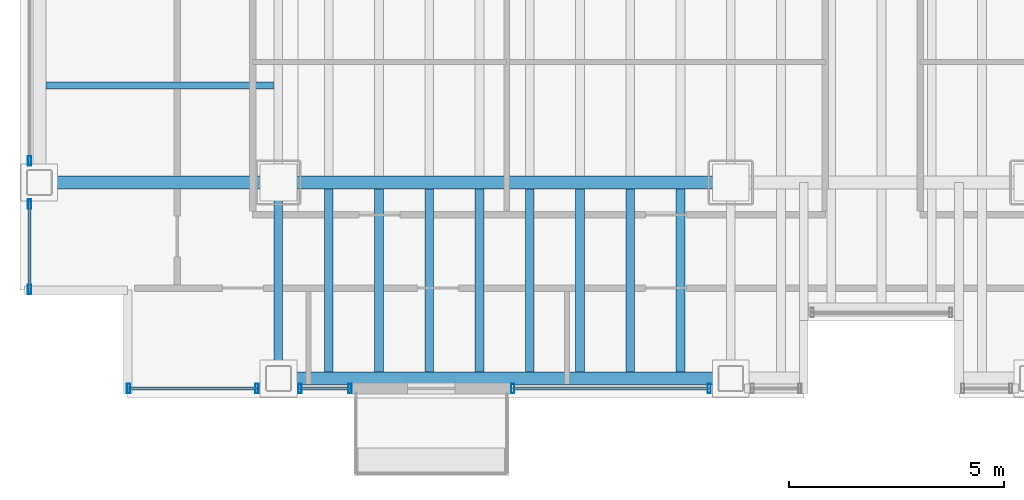
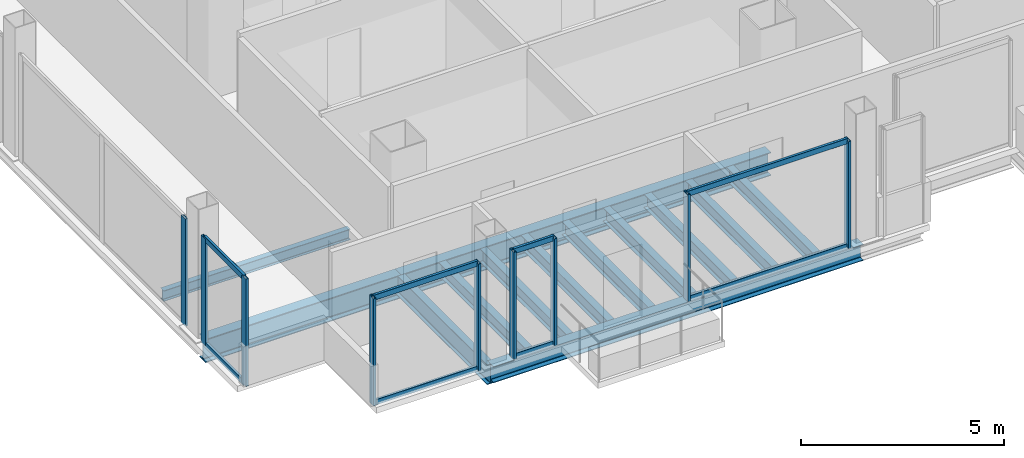
# One storey, part 2 of 20: 17 members, 13 beams, 5 elements without a shape of their own.
"""IFC4 building model written with IfcOpenShell, lengths in metres."""

from ifc_helpers import new_model, si_unit, direction, frame, origin, origin_2d, place, context, subcontext, project, spatial, hollow_rectangle, i_section, extrude, material, material_profile, profile_set, type_object, element, aggregate, save


model = new_model("IFC4")

# Units and contexts
model_context = context("Model", 3, precision=1e-05, world=origin(), true_north=direction((0.0, 1.0)))
body_context = subcontext(model_context, "Body", "Model", "MODEL_VIEW")
ifc_project = project(units=[si_unit("LENGTHUNIT", "METRE"), si_unit("AREAUNIT", "SQUARE_METRE"), si_unit("VOLUMEUNIT", "CUBIC_METRE"), si_unit("PLANEANGLEUNIT", "RADIAN"), si_unit("MASSUNIT", "GRAM", prefix="KILO")], contexts=[model_context])

# Site, building, storey
site_placement = place(None, origin())
site = spatial("IfcSite", under=ifc_project, at=site_placement, CompositionType="ELEMENT")
building_placement = place(site_placement, origin())
building = spatial("IfcBuilding", under=site, at=building_placement, Name="Noeulbin Bourse Tower", CompositionType="ELEMENT")
storey_placement = place(building_placement, frame((0.0, 0.0, 69.39990234375)))
storey = spatial("IfcBuildingStorey", under=building, at=storey_placement, Name="L17", CompositionType="ELEMENT", Elevation=69.39990234375)

# Beams
ifc_material_1 = material(Name="Steel S355", Category="steel")
ifc_material_profile_1 = material_profile(ifc_material_1, i_section(OverallWidth=0.199951171875, OverallDepth=0.60009765625, WebThickness=0.010986328125, FlangeThickness=0.01708984375, FilletRadius=0.02197265625, at=origin_2d()), Name="H-600x200x11x17", Category="LoadBearing")
ifc_profile_set_1 = profile_set([ifc_material_profile_1], Name="Steel S355")
beam_type_1 = type_object("IfcBeamType", Name="BM-GRD-600", PredefinedType="USERDEFINED", material=ifc_profile_set_1)
beam_1_placement = place(storey_placement, frame((13.5, 15.449951171875, -0.47998046875), z_axis=(0.0, 1.0, 0.0), x_axis=(-1.0, 0.0, 0.0)))
element("IfcBeam", 1, at=beam_1_placement, inside=storey, type_object=beam_type_1, Name="Tower Primary Girder NS L17-1.1", ObjectType="GIRDER", PredefinedType="USERDEFINED", context=body_context, shape_type="SweptSolid", body=[
    extrude(i_section(OverallWidth=0.199951171875, OverallDepth=0.60009765625, WebThickness=0.010986328125, FlangeThickness=0.01708984375, FilletRadius=0.02197265625, at=origin_2d()), origin(), (0.0, 0.0, 1.0), 4.550048828125),
])
ifc_material_profile_2 = material_profile(ifc_material_1, i_section(OverallWidth=0.300048828125, OverallDepth=0.699951171875, WebThickness=0.012939453125, FlangeThickness=0.02392578125, FilletRadius=0.02392578125, at=origin_2d()), Name="H-700x300x13x24", Category="LoadBearing")
ifc_profile_set_2 = profile_set([ifc_material_profile_2], Name="Steel S355")
beam_type_2 = type_object("IfcBeamType", Name="BM-GRD-700", PredefinedType="USERDEFINED", material=ifc_profile_set_2)
beam_2_placement = place(storey_placement, frame((7.949951171875, 20.0, -0.52978515625), z_axis=(1.0, 0.0, 0.0), x_axis=(0.0, 1.0, 0.0)))
element("IfcBeam", 2, at=beam_2_placement, inside=storey, type_object=beam_type_2, Name="Tower Primary Girder EW L17-1.1", ObjectType="GIRDER", PredefinedType="USERDEFINED", context=body_context, shape_type="SweptSolid", body=[
    extrude(i_section(OverallWidth=0.300048828125, OverallDepth=0.699951171875, WebThickness=0.012939453125, FlangeThickness=0.02392578125, FilletRadius=0.02392578125, at=origin_2d()), origin(), (0.0, 0.0, 1.0), 5.550048828125),
])
beam_3_placement = place(storey_placement, frame((13.5, 20.0, -0.52978515625), z_axis=(1.0, 0.0, 0.0), x_axis=(0.0, 1.0, 0.0)))
element("IfcBeam", 3, at=beam_3_placement, inside=storey, type_object=beam_type_2, Name="Tower Primary Girder EW L17-1.2", ObjectType="GIRDER", PredefinedType="USERDEFINED", context=body_context, shape_type="SweptSolid", body=[
    extrude(i_section(OverallWidth=0.300048828125, OverallDepth=0.699951171875, WebThickness=0.012939453125, FlangeThickness=0.02392578125, FilletRadius=0.02392578125, at=origin_2d()), origin(), (0.0, 0.0, 1.0), 10.5),
])
ifc_material_profile_3 = material_profile(ifc_material_1, i_section(OverallWidth=0.159912109375, OverallDepth=0.320068359375, WebThickness=0.006591796875, FlangeThickness=0.010009765625, FilletRadius=0.012939453125, at=origin_2d()), Name="H-320x160x6.5x10", Category="LoadBearing")
ifc_profile_set_3 = profile_set([ifc_material_profile_3], Name="Steel S355")
beam_type_3 = type_object("IfcBeamType", Name="BM-JST-320", PredefinedType="JOIST", material=ifc_profile_set_3)
beam_4_placement = place(storey_placement, frame((8.10009765625, 22.25, -0.33984375), z_axis=(1.0, 0.0, 0.0), x_axis=(0.0, 1.0, 0.0)))
element("IfcBeam", 4, at=beam_4_placement, inside=storey, type_object=beam_type_3, Name="Wing Composite Joist L17-W70", PredefinedType="JOIST", context=body_context, shape_type="SweptSolid", body=[
    extrude(i_section(OverallWidth=0.159912109375, OverallDepth=0.320068359375, WebThickness=0.006591796875, FlangeThickness=0.010009765625, FilletRadius=0.012939453125, at=origin_2d()), origin(), (0.0, 0.0, 1.0), 5.2998046875),
])
ifc_material_profile_4 = material_profile(ifc_material_1, i_section(OverallWidth=0.199951171875, OverallDepth=0.39990234375, WebThickness=0.008056640625, FlangeThickness=0.012939453125, FilletRadius=0.01611328125, at=origin_2d()), Name="H-400x200x8x13", Category="LoadBearing")
ifc_profile_set_4 = profile_set([ifc_material_profile_4], Name="Steel S355")
beam_type_4 = type_object("IfcBeamType", Name="BM-SEC-400", PredefinedType="BEAM", material=ifc_profile_set_4)
for number, where, z_axis, x_axis, name in (
    (5, (14.666748046875, 15.60009765625, -0.3798828125), (0.0, 1.0, 0.0), (-1.0, 0.0, 0.0), "Tower Composite Joist L17-01"),
    (6, (15.833251953125, 15.60009765625, -0.3798828125), (0.0, 1.0, 0.0), (-1.0, 0.0, 0.0), "Tower Composite Joist L17-04"),
    (7, (17.0, 15.60009765625, -0.3798828125), (0.0, 1.0, 0.0), (-1.0, 0.0, 0.0), "Tower Composite Joist L17-07"),
    (8, (18.166748046875, 15.60009765625, -0.3798828125), (0.0, 1.0, 0.0), (-1.0, 0.0, 0.0), "Tower Composite Joist L17-10"),
    (9, (19.333251953125, 15.60009765625, -0.3798828125), (0.0, 1.0, 0.0), (-1.0, 0.0, 0.0), "Tower Composite Joist L17-13"),
    (10, (20.5, 15.60009765625, -0.3798828125), (0.0, 1.0, 0.0), (-1.0, 0.0, 0.0), "Tower Composite Joist L17-16"),
    (11, (21.666748046875, 15.60009765625, -0.3798828125), (0.0, 1.0, 0.0), (-1.0, 0.0, 0.0), "Tower Composite Joist L17-19"),
    (12, (22.833251953125, 15.60009765625, -0.3798828125), (0.0, 1.0, 0.0), (-1.0, 0.0, 0.0), "Tower Composite Joist L17-22"),
):
    element("IfcBeam", number, at=place(storey_placement, frame(where, z_axis=z_axis, x_axis=x_axis)), inside=storey, type_object=beam_type_4, Name=name, PredefinedType="BEAM", context=body_context, shape_type="SweptSolid", body=[
        extrude(i_section(OverallWidth=0.199951171875, OverallDepth=0.39990234375, WebThickness=0.008056640625, FlangeThickness=0.012939453125, FilletRadius=0.01611328125, at=origin_2d()), origin(), (0.0, 0.0, 1.0), 4.25),
    ])
ifc_material_profile_5 = material_profile(ifc_material_1, i_section(OverallWidth=0.300048828125, OverallDepth=0.488037109375, WebThickness=0.010986328125, FlangeThickness=0.01806640625, FilletRadius=0.02197265625, at=origin_2d()), Name="H-488x300x11x18", Category="LoadBearing")
ifc_profile_set_5 = profile_set([ifc_material_profile_5], Name="Steel S355")
beam_type_5 = type_object("IfcBeamType", Name="BM-SPN-488", PredefinedType="SPANDREL", material=ifc_profile_set_5)
beam_5_placement = place(storey_placement, frame((13.5, 15.449951171875, -0.423828125), z_axis=(1.0, 0.0, 0.0), x_axis=(0.0, 1.0, 0.0)))
element("IfcBeam", 13, at=beam_5_placement, inside=storey, type_object=beam_type_5, Name="South Spandrel L17-1", PredefinedType="SPANDREL", context=body_context, shape_type="SweptSolid", body=[
    extrude(i_section(OverallWidth=0.300048828125, OverallDepth=0.488037109375, WebThickness=0.010986328125, FlangeThickness=0.01806640625, FilletRadius=0.02197265625, at=origin_2d()), origin(), (0.0, 0.0, 1.0), 10.5),
])

# Curtain wall, members
ifc_material_2 = material(Name="Dark Solar-Control Double Glazing", Category="glass")
curtain_wall_type = type_object("IfcCurtainWallType", Name="CW-SYS-2", PredefinedType="NOTDEFINED", material=ifc_material_2)
curtain_wall_1_placement = place(storey_placement, origin())
curtain_wall_1 = element("IfcCurtainWall", 14, at=curtain_wall_1_placement, inside=storey, type_object=curtain_wall_type, Name="Unitised Curtain Wall CW-L17-S1-S1", PredefinedType="NOTDEFINED")
ifc_material_3 = material(Name="Anodised Aluminium 6063-T6", Category="aluminium")
ifc_material_profile_6 = material_profile(ifc_material_3, hollow_rectangle(XDim=0.074951171875, YDim=0.219970703125, WallThickness=0.0048828125, InnerFilletRadius=0.00244140625, OuterFilletRadius=0.0048828125, at=origin_2d()), Name="ALU-MULL-75x220x5", Category="LoadBearing")
ifc_profile_set_6 = profile_set([ifc_material_profile_6], Name="Anodised Aluminium 6063-T6")
member_type_1 = type_object("IfcMemberType", Name="CW-SYS-2-MUL", PredefinedType="MULLION", material=ifc_profile_set_6)
member_1_placement = place(storey_placement, frame((10.02001953125, 15.219970703125, -0.02001953125), z_axis=(0.0, 0.0, 1.0), x_axis=(1.0, 0.0, 0.0)))
member_1 = element("IfcMember", 15, at=member_1_placement, type_object=member_type_1, Name="Curtain Wall Mullion CW-L17-S1-S1-M00", PredefinedType="MULLION", context=body_context, shape_type="SweptSolid", body=[
    extrude(hollow_rectangle(XDim=0.074951171875, YDim=0.219970703125, WallThickness=0.0048828125, InnerFilletRadius=0.00244140625, OuterFilletRadius=0.0048828125, at=origin_2d()), origin(), (0.0, 0.0, 1.0), 3.22021484375),
])
member_2_placement = place(storey_placement, frame((13.0, 15.219970703125, -0.02001953125), z_axis=(0.0, 0.0, 1.0), x_axis=(1.0, 0.0, 0.0)))
member_2 = element("IfcMember", 16, at=member_2_placement, type_object=member_type_1, Name="Curtain Wall Mullion CW-L17-S1-S1-M01", PredefinedType="MULLION", context=body_context, shape_type="SweptSolid", body=[
    extrude(hollow_rectangle(XDim=0.074951171875, YDim=0.219970703125, WallThickness=0.0048828125, InnerFilletRadius=0.00244140625, OuterFilletRadius=0.0048828125, at=origin_2d()), origin(), (0.0, 0.0, 1.0), 3.22021484375),
])

curtain_wall_2_placement = place(storey_placement, origin())
curtain_wall_2 = element("IfcCurtainWall", 17, at=curtain_wall_2_placement, inside=storey, type_object=curtain_wall_type, Name="Unitised Curtain Wall CW-L17-S1-S2", PredefinedType="NOTDEFINED")
member_3_placement = place(storey_placement, frame((14.0, 15.219970703125, -0.02001953125), z_axis=(0.0, 0.0, 1.0), x_axis=(1.0, 0.0, 0.0)))
member_3 = element("IfcMember", 18, at=member_3_placement, type_object=member_type_1, Name="Curtain Wall Mullion CW-L17-S1-S2-M00", PredefinedType="MULLION", context=body_context, shape_type="SweptSolid", body=[
    extrude(hollow_rectangle(XDim=0.074951171875, YDim=0.219970703125, WallThickness=0.0048828125, InnerFilletRadius=0.00244140625, OuterFilletRadius=0.0048828125, at=origin_2d()), origin(), (0.0, 0.0, 1.0), 3.22021484375),
])
member_4_placement = place(storey_placement, frame((15.159912109375, 15.219970703125, -0.02001953125), z_axis=(0.0, 0.0, 1.0), x_axis=(1.0, 0.0, 0.0)))
member_4 = element("IfcMember", 19, at=member_4_placement, type_object=member_type_1, Name="Curtain Wall Mullion CW-L17-S1-S2-M01", PredefinedType="MULLION", context=body_context, shape_type="SweptSolid", body=[
    extrude(hollow_rectangle(XDim=0.074951171875, YDim=0.219970703125, WallThickness=0.0048828125, InnerFilletRadius=0.00244140625, OuterFilletRadius=0.0048828125, at=origin_2d()), origin(), (0.0, 0.0, 1.0), 3.22021484375),
])

curtain_wall_3_placement = place(storey_placement, origin())
curtain_wall_3 = element("IfcCurtainWall", 20, at=curtain_wall_3_placement, inside=storey, type_object=curtain_wall_type, Name="Unitised Curtain Wall CW-L17-S2-S1", PredefinedType="NOTDEFINED")
member_5_placement = place(storey_placement, frame((18.93994140625, 15.219970703125, -0.02001953125), z_axis=(0.0, 0.0, 1.0), x_axis=(1.0, 0.0, 0.0)))
member_5 = element("IfcMember", 21, at=member_5_placement, type_object=member_type_1, Name="Curtain Wall Mullion CW-L17-S2-S1-M00", PredefinedType="MULLION", context=body_context, shape_type="SweptSolid", body=[
    extrude(hollow_rectangle(XDim=0.074951171875, YDim=0.219970703125, WallThickness=0.0048828125, InnerFilletRadius=0.00244140625, OuterFilletRadius=0.0048828125, at=origin_2d()), origin(), (0.0, 0.0, 1.0), 3.22021484375),
])
member_6_placement = place(storey_placement, frame((23.5, 15.219970703125, -0.02001953125), z_axis=(0.0, 0.0, 1.0), x_axis=(1.0, 0.0, 0.0)))
member_6 = element("IfcMember", 22, at=member_6_placement, type_object=member_type_1, Name="Curtain Wall Mullion CW-L17-S2-S1-M01", PredefinedType="MULLION", context=body_context, shape_type="SweptSolid", body=[
    extrude(hollow_rectangle(XDim=0.074951171875, YDim=0.219970703125, WallThickness=0.0048828125, InnerFilletRadius=0.00244140625, OuterFilletRadius=0.0048828125, at=origin_2d()), origin(), (0.0, 0.0, 1.0), 3.22021484375),
])

curtain_wall_4_placement = place(storey_placement, origin())
curtain_wall_4 = element("IfcCurtainWall", 23, at=curtain_wall_4_placement, inside=storey, type_object=curtain_wall_type, Name="Unitised Curtain Wall CW-L17-W-S1", PredefinedType="NOTDEFINED")
member_7_placement = place(storey_placement, frame((7.719970703125, 17.52001953125, -0.02001953125), z_axis=(0.0, 0.0, 1.0), x_axis=(1.0, 0.0, 0.0)))
member_7 = element("IfcMember", 24, at=member_7_placement, type_object=member_type_1, Name="Curtain Wall Mullion CW-L17-W-S1-M00", PredefinedType="MULLION", context=body_context, shape_type="SweptSolid", body=[
    extrude(hollow_rectangle(XDim=0.074951171875, YDim=0.219970703125, WallThickness=0.0048828125, InnerFilletRadius=0.00244140625, OuterFilletRadius=0.0048828125, at=origin_2d()), origin(), (0.0, 0.0, 1.0), 3.22021484375),
])
member_8_placement = place(storey_placement, frame((7.719970703125, 19.5, -0.02001953125), z_axis=(0.0, 0.0, 1.0), x_axis=(1.0, 0.0, 0.0)))
member_8 = element("IfcMember", 25, at=member_8_placement, type_object=member_type_1, Name="Curtain Wall Mullion CW-L17-W-S1-M01", PredefinedType="MULLION", context=body_context, shape_type="SweptSolid", body=[
    extrude(hollow_rectangle(XDim=0.074951171875, YDim=0.219970703125, WallThickness=0.0048828125, InnerFilletRadius=0.00244140625, OuterFilletRadius=0.0048828125, at=origin_2d()), origin(), (0.0, 0.0, 1.0), 3.22021484375),
])

# Curtain wall, member
curtain_wall_5_placement = place(storey_placement, origin())
curtain_wall_5 = element("IfcCurtainWall", 26, at=curtain_wall_5_placement, inside=storey, type_object=curtain_wall_type, Name="Unitised Curtain Wall CW-L17-W-S2", PredefinedType="NOTDEFINED")
member_9_placement = place(storey_placement, frame((7.719970703125, 20.5, -0.02001953125), z_axis=(0.0, 0.0, 1.0), x_axis=(1.0, 0.0, 0.0)))
member_9 = element("IfcMember", 27, at=member_9_placement, type_object=member_type_1, Name="Curtain Wall Mullion CW-L17-W-S2-M00", PredefinedType="MULLION", context=body_context, shape_type="SweptSolid", body=[
    extrude(hollow_rectangle(XDim=0.074951171875, YDim=0.219970703125, WallThickness=0.0048828125, InnerFilletRadius=0.00244140625, OuterFilletRadius=0.0048828125, at=origin_2d()), origin(), (0.0, 0.0, 1.0), 3.22021484375),
])
aggregate(curtain_wall_5, [member_9])

# Member
ifc_material_profile_7 = material_profile(ifc_material_3, hollow_rectangle(XDim=0.074951171875, YDim=0.159912109375, WallThickness=0.0048828125, InnerFilletRadius=0.00244140625, OuterFilletRadius=0.0048828125, at=origin_2d()), Name="ALU-TRAN-75x160x5", Category="LoadBearing")
ifc_profile_set_7 = profile_set([ifc_material_profile_7], Name="Anodised Aluminium 6063-T6")
member_type_2 = type_object("IfcMemberType", Name="CW-SYS-2-TRN", PredefinedType="USERDEFINED", material=ifc_profile_set_7)
member_10_placement = place(storey_placement, frame((10.030029296875, 15.219970703125, 0.010009765625), z_axis=(1.0, 0.0, 0.0), x_axis=(0.0, 1.0, 0.0)))
member_10 = element("IfcMember", 28, at=member_10_placement, type_object=member_type_2, Name="Curtain Wall Transom CW-L17-S1-S1-T00", ObjectType="TRANSOM", PredefinedType="USERDEFINED", context=body_context, shape_type="SweptSolid", body=[
    extrude(hollow_rectangle(XDim=0.074951171875, YDim=0.159912109375, WallThickness=0.0048828125, InnerFilletRadius=0.00244140625, OuterFilletRadius=0.0048828125, at=origin_2d()), origin(), (0.0, 0.0, 1.0), 2.9599609375),
])

member_11_placement = place(storey_placement, frame((10.030029296875, 15.219970703125, 3.170166015625), z_axis=(1.0, 0.0, 0.0), x_axis=(0.0, 1.0, 0.0)))
member_11 = element("IfcMember", 29, at=member_11_placement, type_object=member_type_2, Name="Curtain Wall Transom CW-L17-S1-S1-T01", ObjectType="TRANSOM", PredefinedType="USERDEFINED", context=body_context, shape_type="SweptSolid", body=[
    extrude(hollow_rectangle(XDim=0.074951171875, YDim=0.159912109375, WallThickness=0.0048828125, InnerFilletRadius=0.00244140625, OuterFilletRadius=0.0048828125, at=origin_2d()), origin(), (0.0, 0.0, 1.0), 2.9599609375),
])

aggregate(curtain_wall_1, [member_1, member_2, member_10, member_11])

member_12_placement = place(storey_placement, frame((14.010009765625, 15.219970703125, 0.010009765625), z_axis=(1.0, 0.0, 0.0), x_axis=(0.0, 1.0, 0.0)))
member_12 = element("IfcMember", 30, at=member_12_placement, type_object=member_type_2, Name="Curtain Wall Transom CW-L17-S1-S2-T00", ObjectType="TRANSOM", PredefinedType="USERDEFINED", context=body_context, shape_type="SweptSolid", body=[
    extrude(hollow_rectangle(XDim=0.074951171875, YDim=0.159912109375, WallThickness=0.0048828125, InnerFilletRadius=0.00244140625, OuterFilletRadius=0.0048828125, at=origin_2d()), origin(), (0.0, 0.0, 1.0), 1.139892578125),
])

member_13_placement = place(storey_placement, frame((14.010009765625, 15.219970703125, 3.170166015625), z_axis=(1.0, 0.0, 0.0), x_axis=(0.0, 1.0, 0.0)))
member_13 = element("IfcMember", 31, at=member_13_placement, type_object=member_type_2, Name="Curtain Wall Transom CW-L17-S1-S2-T01", ObjectType="TRANSOM", PredefinedType="USERDEFINED", context=body_context, shape_type="SweptSolid", body=[
    extrude(hollow_rectangle(XDim=0.074951171875, YDim=0.159912109375, WallThickness=0.0048828125, InnerFilletRadius=0.00244140625, OuterFilletRadius=0.0048828125, at=origin_2d()), origin(), (0.0, 0.0, 1.0), 1.139892578125),
])

aggregate(curtain_wall_2, [member_3, member_4, member_12, member_13])

member_14_placement = place(storey_placement, frame((18.949951171875, 15.219970703125, 0.010009765625), z_axis=(1.0, 0.0, 0.0), x_axis=(0.0, 1.0, 0.0)))
member_14 = element("IfcMember", 32, at=member_14_placement, type_object=member_type_2, Name="Curtain Wall Transom CW-L17-S2-S1-T00", ObjectType="TRANSOM", PredefinedType="USERDEFINED", context=body_context, shape_type="SweptSolid", body=[
    extrude(hollow_rectangle(XDim=0.074951171875, YDim=0.159912109375, WallThickness=0.0048828125, InnerFilletRadius=0.00244140625, OuterFilletRadius=0.0048828125, at=origin_2d()), origin(), (0.0, 0.0, 1.0), 4.5400390625),
])

member_15_placement = place(storey_placement, frame((18.949951171875, 15.219970703125, 3.170166015625), z_axis=(1.0, 0.0, 0.0), x_axis=(0.0, 1.0, 0.0)))
member_15 = element("IfcMember", 33, at=member_15_placement, type_object=member_type_2, Name="Curtain Wall Transom CW-L17-S2-S1-T01", ObjectType="TRANSOM", PredefinedType="USERDEFINED", context=body_context, shape_type="SweptSolid", body=[
    extrude(hollow_rectangle(XDim=0.074951171875, YDim=0.159912109375, WallThickness=0.0048828125, InnerFilletRadius=0.00244140625, OuterFilletRadius=0.0048828125, at=origin_2d()), origin(), (0.0, 0.0, 1.0), 4.5400390625),
])

aggregate(curtain_wall_3, [member_5, member_6, member_14, member_15])

member_16_placement = place(storey_placement, frame((7.719970703125, 17.530029296875, 0.010009765625), z_axis=(0.0, 1.0, 0.0), x_axis=(-1.0, 0.0, 0.0)))
member_16 = element("IfcMember", 34, at=member_16_placement, type_object=member_type_2, Name="Curtain Wall Transom CW-L17-W-S1-T00", ObjectType="TRANSOM", PredefinedType="USERDEFINED", context=body_context, shape_type="SweptSolid", body=[
    extrude(hollow_rectangle(XDim=0.074951171875, YDim=0.159912109375, WallThickness=0.0048828125, InnerFilletRadius=0.00244140625, OuterFilletRadius=0.0048828125, at=origin_2d()), origin(), (0.0, 0.0, 1.0), 1.9599609375),
])

member_17_placement = place(storey_placement, frame((7.719970703125, 17.530029296875, 3.170166015625), z_axis=(0.0, 1.0, 0.0), x_axis=(-1.0, 0.0, 0.0)))
member_17 = element("IfcMember", 35, at=member_17_placement, type_object=member_type_2, Name="Curtain Wall Transom CW-L17-W-S1-T01", ObjectType="TRANSOM", PredefinedType="USERDEFINED", context=body_context, shape_type="SweptSolid", body=[
    extrude(hollow_rectangle(XDim=0.074951171875, YDim=0.159912109375, WallThickness=0.0048828125, InnerFilletRadius=0.00244140625, OuterFilletRadius=0.0048828125, at=origin_2d()), origin(), (0.0, 0.0, 1.0), 1.9599609375),
])

aggregate(curtain_wall_4, [member_7, member_8, member_16, member_17])

save(model, "model.ifc")
